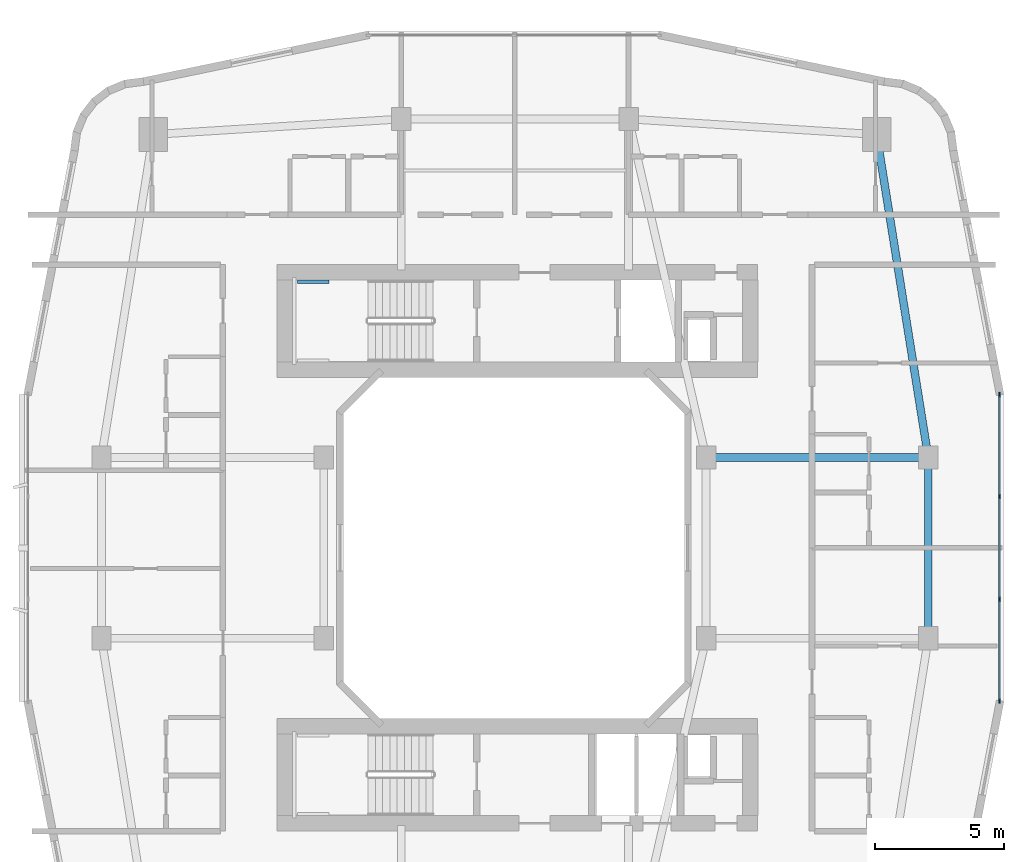
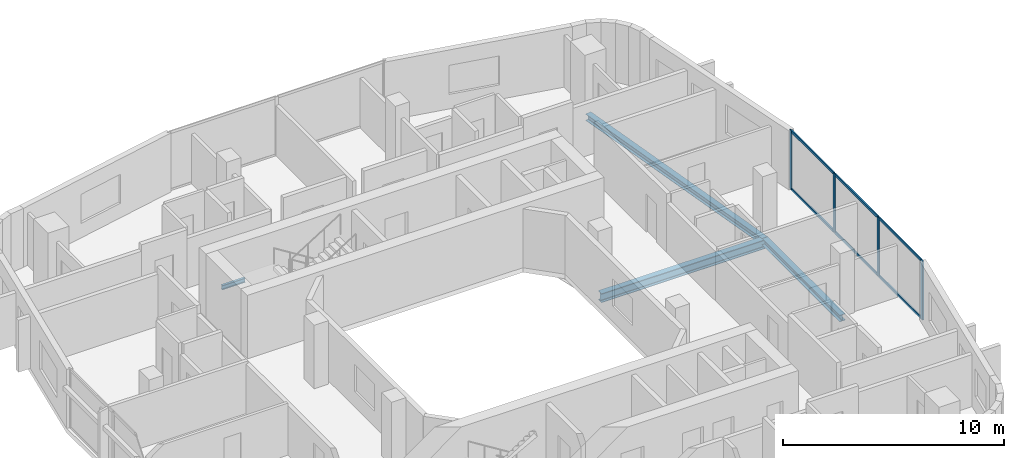
# One storey, part 10 of 26: 10 members, 4 beams, 1 element without a shape of its own.
"""IFC4 building model written with IfcOpenShell, lengths in metres."""

import ifcopenshell
import ifcopenshell.guid

model = None  # the IFC model being written
_history = None  # IfcOwnerHistory: only IFC2X3 demands one
_inside = {}  # id of a spatial element -> (the spatial element, [elements in it])
_under = {}  # id of a project, library or spatial element -> (it, [spatial elements below it])
_declared = {}  # id of a project -> (the project, [libraries it declares])
_typed = {}  # id of a type object -> (the type object, [elements of that type])
_made_of = {}  # id of a material, layer set ... -> (it, [elements and type objects made of it])


def new_model(schema):
    """Start an empty IFC model of exactly this schema.

    Asked for "IFC4X3", IfcOpenShell would pick the latest addendum, in which some entities
    have other attributes; the version numbers below select the first issue.
    IFC2X3 requires an IfcOwnerHistory on every rooted entity: one is made here for all.
    """
    global model, _history
    if schema == "IFC4X3":
        model = ifcopenshell.file(schema_version=(4, 3, 0, 0))
    else:
        model = ifcopenshell.file(schema=schema)
    _inside.clear()
    _under.clear()
    _declared.clear()
    _typed.clear()
    _made_of.clear()
    _history = None
    if model.schema == "IFC2X3":
        org = make("IfcOrganization", Name="unknown")
        user = make(
            "IfcPersonAndOrganization",
            ThePerson=make("IfcPerson", FamilyName="unknown"),
            TheOrganization=org,
        )
        app = make(
            "IfcApplication",
            ApplicationDeveloper=org,
            Version="unknown",
            ApplicationFullName="unknown",
            ApplicationIdentifier="unknown",
        )
        _history = make(
            "IfcOwnerHistory",
            OwningUser=user,
            OwningApplication=app,
            ChangeAction="ADDED",
            CreationDate=0,
        )
    return model


def make(cls, **values):
    """One entity of the class cls with the attributes given. An attribute that is None is left unset."""
    return model.create_entity(
        cls, **{name: value for name, value in values.items() if value is not None}
    )


def rooted(cls, **values):
    """An entity with a GlobalId (a new one), such as an element, a storey or a relation."""
    return make(cls, GlobalId=ifcopenshell.guid.new(), OwnerHistory=_history, **values)


def si_unit(unit_type, name, prefix=None):
    """IfcSIUnit, for example si_unit("LENGTHUNIT", "METRE", prefix="MILLI")."""
    return make("IfcSIUnit", UnitType=unit_type, Prefix=prefix, Name=name)


def derived_unit(unit_type, elements):
    """IfcDerivedUnit: a product of units, each with its exponent."""
    return make(
        "IfcDerivedUnit",
        Elements=[
            make("IfcDerivedUnitElement", Unit=unit, Exponent=power)
            for unit, power in elements
        ],
        UnitType=unit_type,
    )


def assignment(units):
    """IfcUnitAssignment: the units of a project."""
    return None if units is None else make("IfcUnitAssignment", Units=units)


def point(xyz):
    """IfcCartesianPoint."""
    return None if xyz is None else make("IfcCartesianPoint", Coordinates=xyz)


def direction(xyz):
    """IfcDirection."""
    return None if xyz is None else make("IfcDirection", DirectionRatios=xyz)


def frame(location, z_axis=None, x_axis=None):
    """IfcAxis2Placement3D, a coordinate frame: its origin and axes. An axis left out is left unset."""
    return make(
        "IfcAxis2Placement3D",
        Location=point(location),
        Axis=direction(z_axis),
        RefDirection=direction(x_axis),
    )


def frame_2d(location, x_axis=None):
    """IfcAxis2Placement2D, a coordinate frame in the plane: its origin and x axis."""
    return make(
        "IfcAxis2Placement2D", Location=point(location), RefDirection=direction(x_axis)
    )


def origin():
    """The frame at (0, 0, 0) with its axes left unset."""
    return frame((0.0, 0.0, 0.0))


def origin_2d():
    """The frame at (0, 0) in the plane with its x axis left unset."""
    return frame_2d((0.0, 0.0))


def place(relative_to, where):
    """IfcLocalPlacement: puts the frame where relative to a parent placement (None: the world)."""
    return make(
        "IfcLocalPlacement", PlacementRelTo=relative_to, RelativePlacement=where
    )


def context(
    kind, dimensions, precision=None, world=None, true_north=None, identifier=None
):
    """IfcGeometricRepresentationContext, for example the 3D "Model" context."""
    return make(
        "IfcGeometricRepresentationContext",
        ContextIdentifier=identifier,
        ContextType=kind,
        CoordinateSpaceDimension=dimensions,
        Precision=precision,
        WorldCoordinateSystem=world,
        TrueNorth=true_north,
    )


def subcontext(parent, identifier, kind, view, scale=None):
    """IfcGeometricRepresentationSubContext, for example "Body" below "Model"."""
    return make(
        "IfcGeometricRepresentationSubContext",
        ContextIdentifier=identifier,
        ContextType=kind,
        ParentContext=parent,
        TargetScale=scale,
        TargetView=view,
    )


def project(units=None, contexts=None):
    """IfcProject with its units and contexts."""
    return rooted(
        "IfcProject",
        Name="project",
        RepresentationContexts=contexts,
        UnitsInContext=assignment(units),
    )


def spatial(cls, under=None, at=None, **own):
    """A site, building, storey or space (cls), placed at a placement, below another one or the project."""
    s = rooted(cls, ObjectPlacement=at, **own)
    if under is not None:
        _under.setdefault(under.id(), (under, []))[1].append(s)
    return s


def profile(cls, at=None, kind="AREA", **sizes):
    """A parametric profile (cls). Its sizes go by their IFC names, for example OverallWidth=200.0."""
    return make(cls, ProfileType=kind, Position=at, **sizes)


def rectangle(**sizes):
    """IfcRectangleProfileDef."""
    return profile("IfcRectangleProfileDef", **sizes)


def i_section(**sizes):
    """IfcIShapeProfileDef."""
    return profile("IfcIShapeProfileDef", **sizes)


def extrude(swept, where, along, depth):
    """IfcExtrudedAreaSolid: the profile swept, set in the frame where, extruded along a direction by depth."""
    return make(
        "IfcExtrudedAreaSolid",
        SweptArea=swept,
        Position=where,
        ExtrudedDirection=direction(along),
        Depth=depth,
    )


def shape(context_of_items, identifier, shape_type, items):
    """IfcShapeRepresentation: the items that make up one representation, for example the "Body"."""
    return make(
        "IfcShapeRepresentation",
        ContextOfItems=context_of_items,
        RepresentationIdentifier=identifier,
        RepresentationType=shape_type,
        Items=items,
    )


def material(Name=None, Category=None):
    """IfcMaterial."""
    return make("IfcMaterial", Name=Name, Category=Category)


def layer(
    of_material, thickness, ventilated=None, Name=None, Category=None, Priority=None
):
    """IfcMaterialLayer: one layer of a wall or slab, of a material (None: an air gap)."""
    return make(
        "IfcMaterialLayer",
        Material=of_material,
        LayerThickness=thickness,
        IsVentilated=ventilated,
        Name=Name,
        Category=Category,
        Priority=Priority,
    )


def layer_set(layers, Name=None):
    """IfcMaterialLayerSet."""
    return make("IfcMaterialLayerSet", MaterialLayers=layers, LayerSetName=Name)


def material_profile(
    of_material, cross_section, Name=None, Category=None, Priority=None
):
    """IfcMaterialProfile: a cross section and its material."""
    return make(
        "IfcMaterialProfile",
        Name=Name,
        Material=of_material,
        Profile=cross_section,
        Priority=Priority,
        Category=Category,
    )


def profile_set(profiles, Name=None, composite=None):
    """IfcMaterialProfileSet."""
    return make(
        "IfcMaterialProfileSet",
        Name=Name,
        MaterialProfiles=profiles,
        CompositeProfile=composite,
    )


def made_of(thing, what):
    """Note that an element or type object is made of a material, layer set ...; save() writes the relation."""
    if what is not None:
        _made_of.setdefault(what.id(), (what, []))[1].append(thing)
    return thing


def type_object(cls, material=None, **own):
    """A type object (cls), such as IfcWallType, which elements share."""
    return made_of(rooted(cls, **own), material)


def element(
    cls,
    number,
    at=None,
    inside=None,
    cuts=None,
    type_object=None,
    material=None,
    context=None,
    identifier="Body",
    shape_type=None,
    held_by="IfcProductDefinitionShape",
    body=None,
    shapes=None,
    **own,
):
    """One element of the class cls, such as IfcWall. Its Tag is "e" and its number.

    at: its placement. inside: the storey or other place that contains it. cuts: it is an
    opening in that element (IfcRelVoidsElement). A single representation is given by context,
    identifier, shape_type and body (its items); several are given by shapes. held_by: the class
    of the entity that holds the representations. save() writes the other relations.
    """
    e = rooted(cls, Tag="e%d" % number, ObjectPlacement=at, **own)
    if body is not None:
        shapes = [shape(context, identifier, shape_type, body)]
    if shapes is not None:
        e.Representation = make(held_by, Representations=shapes)
    if inside is not None:
        _inside.setdefault(inside.id(), (inside, []))[1].append(e)
    if cuts is not None:
        rooted(
            "IfcRelVoidsElement", RelatingBuildingElement=cuts, RelatedOpeningElement=e
        )
    if type_object is not None:
        _typed.setdefault(type_object.id(), (type_object, []))[1].append(e)
    return made_of(e, material)


def aggregate(whole, parts):
    """IfcRelAggregates: a whole, such as a stair, and the parts it consists of."""
    return rooted("IfcRelAggregates", RelatingObject=whole, RelatedObjects=parts)


def save(model, path):
    """Write the relations noted so far, then the file.

    IfcRelAggregates (storeys below a building ...), IfcRelContainedInSpatialStructure (elements
    in a storey), IfcRelDefinesByType, IfcRelAssociatesMaterial and IfcRelDeclares: one each for
    every whole, place, type object, material and project.
    """
    for whole, parts in _under.values():
        aggregate(whole, parts)
    for where, things in _inside.values():
        rooted(
            "IfcRelContainedInSpatialStructure",
            RelatedElements=things,
            RelatingStructure=where,
        )
    for kind, things in _typed.values():
        rooted("IfcRelDefinesByType", RelatedObjects=things, RelatingType=kind)
    for what, things in _made_of.values():
        rooted("IfcRelAssociatesMaterial", RelatedObjects=things, RelatingMaterial=what)
    for by, libraries in _declared.values():
        rooted("IfcRelDeclares", RelatingContext=by, RelatedDefinitions=libraries)
    model.write(path)


model = new_model("IFC4")

# Units and contexts
model_context = context("Model", 3, precision=1e-05, world=origin(), true_north=direction((0.0, 1.0)))
body_context = subcontext(model_context, "Body", "Model", "MODEL_VIEW")
ifc_project = project(units=[si_unit("LENGTHUNIT", "METRE"), si_unit("AREAUNIT", "SQUARE_METRE"), si_unit("VOLUMEUNIT", "CUBIC_METRE"), si_unit("PLANEANGLEUNIT", "RADIAN"), si_unit("MASSUNIT", "GRAM", prefix="KILO"), derived_unit("THERMALTRANSMITTANCEUNIT", [(si_unit("POWERUNIT", "WATT"), 1), (si_unit("LENGTHUNIT", "METRE"), -2), (si_unit("THERMODYNAMICTEMPERATUREUNIT", "KELVIN"), -1)])], contexts=[model_context])

# Site, building, storey
site_placement = place(None, origin())
site = spatial("IfcSite", under=ifc_project, at=site_placement, CompositionType="ELEMENT")
building_placement = place(site_placement, origin())
building = spatial("IfcBuilding", under=site, at=building_placement, Name="Kivonza Crest Hotel", CompositionType="ELEMENT")
storey_placement = place(building_placement, frame((0.0, 0.0, 52.0)))
storey = spatial("IfcBuildingStorey", under=building, at=storey_placement, Name="L13", CompositionType="ELEMENT", Elevation=52.0)

# Beams
ifc_material_1 = material(Name="Steel S355", Category="steel")
ifc_material_profile_1 = material_profile(ifc_material_1, i_section(OverallWidth=0.300048828125, OverallDepth=0.360107421875, WebThickness=0.012451171875, FlangeThickness=0.0224609375, FilletRadius=0.027099609375, at=origin_2d()), Name="HEB 360")
ifc_profile_set_1 = profile_set([ifc_material_profile_1], Name="Steel S355")
beam_type_1 = type_object("IfcBeamType", Name="BM-HEB360", PredefinedType="SPANDREL", material=ifc_profile_set_1)
beam_1_placement = place(storey_placement, frame((93.0, 21.5, -0.429931640625), z_axis=(0.0, 1.0, 0.0), x_axis=(-1.0, 0.0, 0.0)))
element("IfcBeam", 1, at=beam_1_placement, inside=storey, type_object=beam_type_1, Name="Companion Tower T2 L13 perimeter spandrel E1-E2", PredefinedType="SPANDREL", context=body_context, shape_type="SweptSolid", body=[
    extrude(i_section(OverallWidth=0.300048828125, OverallDepth=0.360107421875, WebThickness=0.012451171875, FlangeThickness=0.0224609375, FilletRadius=0.027099609375, at=origin_2d()), origin(), (0.0, 0.0, 1.0), 7.0),
])
beam_2_placement = place(storey_placement, frame((93.0, 28.5, -0.429931640625), z_axis=(-0.157990501107, 0.987440631917, 0.0), x_axis=(-0.987440631917, -0.157990501107, 0.0)))
element("IfcBeam", 2, at=beam_2_placement, inside=storey, type_object=beam_type_1, Name="Companion Tower T2 L13 perimeter spandrel E2-NE", PredefinedType="SPANDREL", context=body_context, shape_type="SweptSolid", body=[
    extrude(i_section(OverallWidth=0.300048828125, OverallDepth=0.360107421875, WebThickness=0.012451171875, FlangeThickness=0.0224609375, FilletRadius=0.027099609375, at=origin_2d()), origin(), (0.0, 0.0, 1.0), 12.658935546875),
])
ifc_material_profile_2 = material_profile(ifc_material_1, i_section(OverallWidth=0.300048828125, OverallDepth=0.5, WebThickness=0.014404296875, FlangeThickness=0.028076171875, FilletRadius=0.027099609375, at=origin_2d()), Name="HEB 500")
ifc_profile_set_2 = profile_set([ifc_material_profile_2], Name="Steel S355")
beam_type_2 = type_object("IfcBeamType", Name="BM-HEB500", PredefinedType="BEAM", material=ifc_profile_set_2)
beam_3_placement = place(storey_placement, frame((84.39990234375, 28.5, -0.5), z_axis=(1.0, 0.0, 0.0), x_axis=(0.0, 1.0, 0.0)))
element("IfcBeam", 3, at=beam_3_placement, inside=storey, type_object=beam_type_2, Name="Companion Tower T2 L13 girder WR2-E2", PredefinedType="BEAM", context=body_context, shape_type="SweptSolid", body=[
    extrude(i_section(OverallWidth=0.300048828125, OverallDepth=0.5, WebThickness=0.014404296875, FlangeThickness=0.028076171875, FilletRadius=0.027099609375, at=origin_2d()), origin(), (0.0, 0.0, 1.0), 8.60009765625),
])
ifc_material_profile_3 = material_profile(ifc_material_1, i_section(OverallWidth=0.1201171875, OverallDepth=0.239990234375, WebThickness=0.006103515625, FlangeThickness=0.009765625, FilletRadius=0.014892578125, at=origin_2d()), Name="IPE 240")
ifc_profile_set_3 = profile_set([ifc_material_profile_3], Name="Steel S355")
beam_type_3 = type_object("IfcBeamType", Name="BM-LLDG-240", PredefinedType="BEAM", material=ifc_profile_set_3)
beam_4_placement = place(storey_placement, frame((68.590087890625, 35.300048828125, 1.429931640625), z_axis=(1.0, 0.0, 0.0), x_axis=(0.0, 1.0, 0.0)))
element("IfcBeam", 4, at=beam_4_placement, inside=storey, type_object=beam_type_3, Name="Stair ST-T2-N L13 North landing corbel", PredefinedType="BEAM", context=body_context, shape_type="SweptSolid", body=[
    extrude(i_section(OverallWidth=0.1201171875, OverallDepth=0.239990234375, WebThickness=0.006103515625, FlangeThickness=0.009765625, FilletRadius=0.014892578125, at=origin_2d()), origin(), (0.0, 0.0, 1.0), 1.2099609375),
])

# Curtain wall, members
ifc_material_2 = material(Name="Anodised bronze aluminium and low-E double glazing", Category="aluminium")
ifc_layer = layer(ifc_material_2, 0.179931640625)
ifc_layer_set = layer_set([ifc_layer], Name="Anodised bronze aluminium and low-E double glazing")
curtain_wall_type = type_object("IfcCurtainWallType", Name="CW-SYS-4", PredefinedType="NOTDEFINED", material=ifc_layer_set)
curtain_wall_placement = place(storey_placement, origin())
curtain_wall = element("IfcCurtainWall", 5, at=curtain_wall_placement, inside=storey, type_object=curtain_wall_type, Name="L13 unitised curtain wall CW-T2-L13-17", PredefinedType="NOTDEFINED")
ifc_material_3 = material(Name="Anodised bronze aluminium", Category="aluminium")
ifc_material_profile_4 = material_profile(ifc_material_3, rectangle(XDim=0.06494140625, YDim=0.179931640625, at=origin_2d()), Name="CW-M 65x180")
ifc_profile_set_4 = profile_set([ifc_material_profile_4], Name="Anodised bronze aluminium")
member_type_1 = type_object("IfcMemberType", Name="CW-MUL-65x180", PredefinedType="MULLION", material=ifc_profile_set_4)
member_1_placement = place(storey_placement, frame((95.760009765625, 19.072509765625, 0.0), z_axis=(0.0, 0.0, 1.0), x_axis=(-1.0, 0.0, 0.0)))
member_1 = element("IfcMember", 6, at=member_1_placement, type_object=member_type_1, Name="CW-4 mullion 1", PredefinedType="MULLION", context=body_context, shape_type="SweptSolid", body=[
    extrude(rectangle(XDim=0.06494140625, YDim=0.179931640625, at=origin_2d()), origin(), (0.0, 0.0, 1.0), 3.25),
])
member_2_placement = place(storey_placement, frame((95.760009765625, 23.013427734375, 0.0), z_axis=(0.0, 0.0, 1.0), x_axis=(-1.0, 0.0, 0.0)))
member_2 = element("IfcMember", 7, at=member_2_placement, type_object=member_type_1, Name="CW-4 mullion 2", PredefinedType="MULLION", context=body_context, shape_type="SweptSolid", body=[
    extrude(rectangle(XDim=0.06494140625, YDim=0.179931640625, at=origin_2d()), origin(), (0.0, 0.0, 1.0), 3.25),
])
member_3_placement = place(storey_placement, frame((95.760009765625, 26.986572265625, 0.0), z_axis=(0.0, 0.0, 1.0), x_axis=(-1.0, 0.0, 0.0)))
member_3 = element("IfcMember", 8, at=member_3_placement, type_object=member_type_1, Name="CW-4 mullion 3", PredefinedType="MULLION", context=body_context, shape_type="SweptSolid", body=[
    extrude(rectangle(XDim=0.06494140625, YDim=0.179931640625, at=origin_2d()), origin(), (0.0, 0.0, 1.0), 3.25),
])
member_4_placement = place(storey_placement, frame((95.760009765625, 30.927490234375, 0.0), z_axis=(0.0, 0.0, 1.0), x_axis=(-1.0, 0.0, 0.0)))
member_4 = element("IfcMember", 9, at=member_4_placement, type_object=member_type_1, Name="CW-4 mullion 4", PredefinedType="MULLION", context=body_context, shape_type="SweptSolid", body=[
    extrude(rectangle(XDim=0.06494140625, YDim=0.179931640625, at=origin_2d()), origin(), (0.0, 0.0, 1.0), 3.25),
])
ifc_material_profile_5 = material_profile(ifc_material_3, rectangle(XDim=0.06494140625, YDim=0.139892578125, at=origin_2d()), Name="CW-T 65x140")
ifc_profile_set_5 = profile_set([ifc_material_profile_5], Name="Anodised bronze aluminium")
member_type_2 = type_object("IfcMemberType", Name="CW-TRN-65x140", PredefinedType="USERDEFINED", material=ifc_profile_set_5)
member_5_placement = place(storey_placement, frame((95.760009765625, 19.10498046875, 0.032470703125), z_axis=(0.0, 1.0, 0.0), x_axis=(-1.0, 0.0, 0.0)))
member_5 = element("IfcMember", 10, at=member_5_placement, type_object=member_type_2, Name="CW-4 transom 1.1", ObjectType="TRANSOM", PredefinedType="USERDEFINED", context=body_context, shape_type="SweptSolid", body=[
    extrude(rectangle(XDim=0.06494140625, YDim=0.139892578125, at=origin_2d()), origin(), (0.0, 0.0, 1.0), 3.875732421875),
])
member_6_placement = place(storey_placement, frame((95.760009765625, 19.10498046875, 3.217529296875), z_axis=(0.0, 1.0, 0.0), x_axis=(-1.0, 0.0, 0.0)))
member_6 = element("IfcMember", 11, at=member_6_placement, type_object=member_type_2, Name="CW-4 transom 1.2", ObjectType="TRANSOM", PredefinedType="USERDEFINED", context=body_context, shape_type="SweptSolid", body=[
    extrude(rectangle(XDim=0.06494140625, YDim=0.139892578125, at=origin_2d()), origin(), (0.0, 0.0, 1.0), 3.875732421875),
])
member_7_placement = place(storey_placement, frame((95.760009765625, 23.0458984375, 0.032470703125), z_axis=(0.0, 1.0, 0.0), x_axis=(-1.0, 0.0, 0.0)))
member_7 = element("IfcMember", 12, at=member_7_placement, type_object=member_type_2, Name="CW-4 transom 2.1", ObjectType="TRANSOM", PredefinedType="USERDEFINED", context=body_context, shape_type="SweptSolid", body=[
    extrude(rectangle(XDim=0.06494140625, YDim=0.139892578125, at=origin_2d()), origin(), (0.0, 0.0, 1.0), 3.908203125),
])
member_8_placement = place(storey_placement, frame((95.760009765625, 23.0458984375, 3.217529296875), z_axis=(0.0, 1.0, 0.0), x_axis=(-1.0, 0.0, 0.0)))
member_8 = element("IfcMember", 13, at=member_8_placement, type_object=member_type_2, Name="CW-4 transom 2.2", ObjectType="TRANSOM", PredefinedType="USERDEFINED", context=body_context, shape_type="SweptSolid", body=[
    extrude(rectangle(XDim=0.06494140625, YDim=0.139892578125, at=origin_2d()), origin(), (0.0, 0.0, 1.0), 3.908203125),
])
member_9_placement = place(storey_placement, frame((95.760009765625, 27.019287109375, 0.032470703125), z_axis=(0.0, 1.0, 0.0), x_axis=(-1.0, 0.0, 0.0)))
member_9 = element("IfcMember", 14, at=member_9_placement, type_object=member_type_2, Name="CW-4 transom 3.1", ObjectType="TRANSOM", PredefinedType="USERDEFINED", context=body_context, shape_type="SweptSolid", body=[
    extrude(rectangle(XDim=0.06494140625, YDim=0.139892578125, at=origin_2d()), origin(), (0.0, 0.0, 1.0), 3.875732421875),
])
member_10_placement = place(storey_placement, frame((95.760009765625, 27.019287109375, 3.217529296875), z_axis=(0.0, 1.0, 0.0), x_axis=(-1.0, 0.0, 0.0)))
member_10 = element("IfcMember", 15, at=member_10_placement, type_object=member_type_2, Name="CW-4 transom 3.2", ObjectType="TRANSOM", PredefinedType="USERDEFINED", context=body_context, shape_type="SweptSolid", body=[
    extrude(rectangle(XDim=0.06494140625, YDim=0.139892578125, at=origin_2d()), origin(), (0.0, 0.0, 1.0), 3.875732421875),
])
aggregate(curtain_wall, [member_1, member_2, member_3, member_4, member_5, member_6, member_7, member_8, member_9, member_10])

save(model, "model.ifc")
